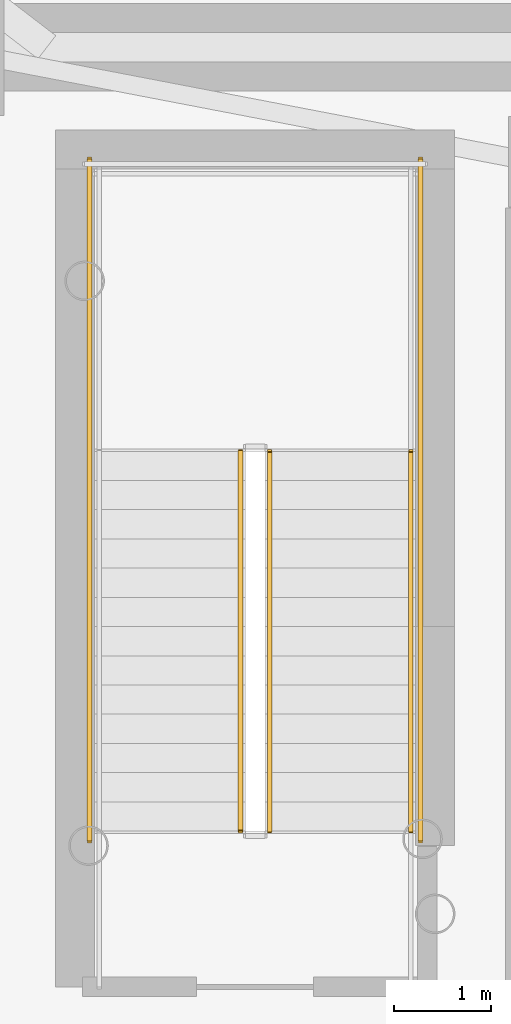
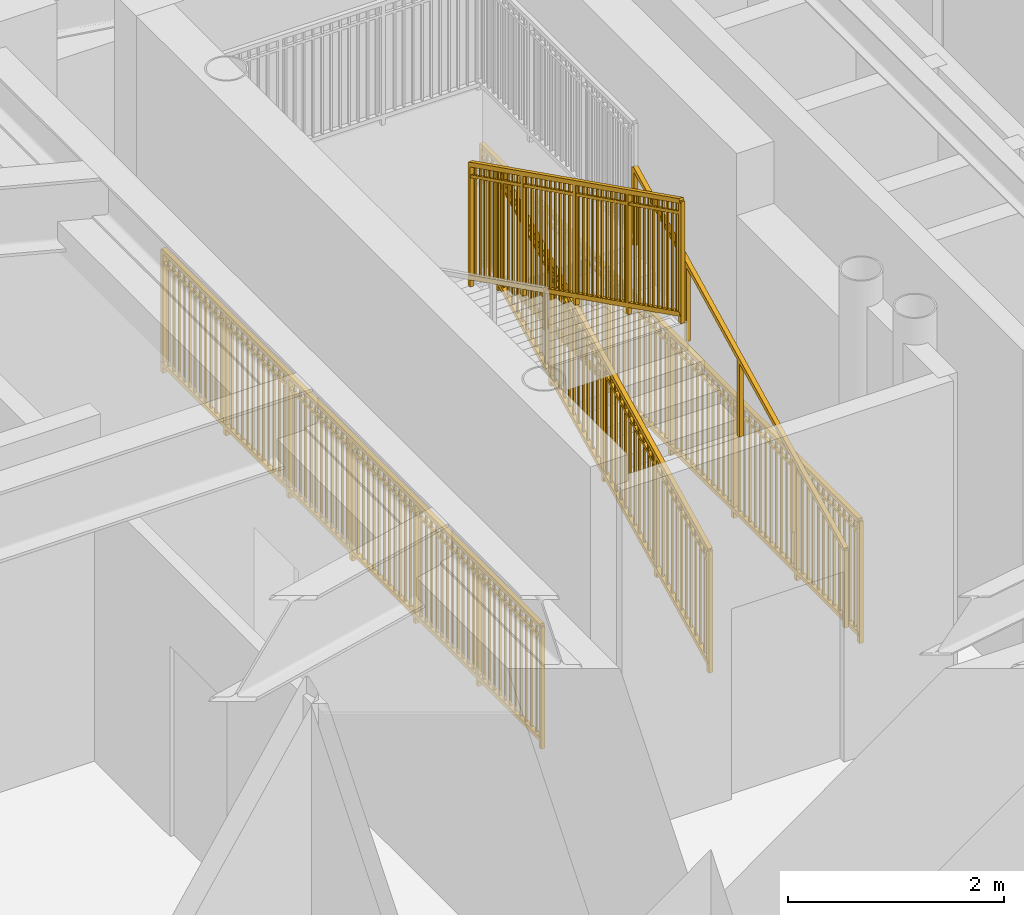
# One storey, part 21 of 27: 5 railings.
"""IFC4 building model written with IfcOpenShell, lengths in metres."""

from ifc_helpers import new_model, si_unit, direction, frame, origin, origin_2d, place, context, subcontext, project, spatial, rectangle, extrude, source, transform, mapped, material, type_object, element, save


model = new_model("IFC4")

# Units and contexts
model_context = context("Model", 3, precision=1e-05, world=origin(), true_north=direction((0.0, 1.0)))
body_context = subcontext(model_context, "Body", "Model", "MODEL_VIEW")
ifc_project = project(units=[si_unit("LENGTHUNIT", "METRE"), si_unit("AREAUNIT", "SQUARE_METRE"), si_unit("VOLUMEUNIT", "CUBIC_METRE"), si_unit("PLANEANGLEUNIT", "RADIAN"), si_unit("MASSUNIT", "GRAM", prefix="KILO")], contexts=[model_context])

# Site, building, storey
site_placement = place(None, origin())
site = spatial("IfcSite", under=ifc_project, at=site_placement, CompositionType="ELEMENT")
building_placement = place(site_placement, origin())
building = spatial("IfcBuilding", under=site, at=building_placement, Name="Linh Dai School and Residence Tower", CompositionType="ELEMENT")
storey_placement = place(building_placement, frame((0.0, 0.0, 18.60009765625)))
storey = spatial("IfcBuildingStorey", under=building, at=storey_placement, Name="L04", CompositionType="ELEMENT", Elevation=18.60009765625)

# Railings
ifc_material_1 = material(Name="Structural Steel S355JR", Category="steel")
railing_type_1 = type_object("IfcRailingType", Name="RL-ST-GUARD-1400", PredefinedType="GUARDRAIL", material=ifc_material_1)
shared_shape_1 = source(origin(), body_context, "Body", "SweptSolid", [
    extrude(rectangle(XDim=0.048095703125, YDim=0.048095703125, at=origin_2d()), frame((0.0, 0.0, 1.3759765625), z_axis=(0.0, 1.0, 0.0), x_axis=(-1.0, 0.0, 0.0)), (0.0, 0.0, 1.0), 7.0),
    extrude(rectangle(XDim=0.048095703125, YDim=0.048095703125, at=origin_2d()), frame((0.0, 0.0, 0.10009765625), z_axis=(0.0, 1.0, 0.0), x_axis=(-1.0, 0.0, 0.0)), (0.0, 0.0, 1.0), 7.0),
    extrude(rectangle(XDim=0.030029296875, YDim=0.030029296875, at=origin_2d()), frame((0.0, 0.0, 1.239990234375), z_axis=(0.0, 1.0, 0.0), x_axis=(-1.0, 0.0, 0.0)), (0.0, 0.0, 1.0), 7.0),
    extrude(rectangle(XDim=0.02001953125, YDim=0.02001953125, at=origin_2d()), frame((0.0, 0.09716796875, 0.10009765625)), (0.0, 0.0, 1.0), 1.251708984375),
    extrude(rectangle(XDim=0.02001953125, YDim=0.02001953125, at=origin_2d()), frame((0.0, 0.1943359375, 0.10009765625)), (0.0, 0.0, 1.0), 1.251708984375),
    extrude(rectangle(XDim=0.02001953125, YDim=0.02001953125, at=origin_2d()), frame((0.0, 0.291748046875, 0.10009765625)), (0.0, 0.0, 1.0), 1.251708984375),
    extrude(rectangle(XDim=0.02001953125, YDim=0.02001953125, at=origin_2d()), frame((0.0, 0.388916015625, 0.10009765625)), (0.0, 0.0, 1.0), 1.251708984375),
    extrude(rectangle(XDim=0.02001953125, YDim=0.02001953125, at=origin_2d()), frame((0.0, 0.486083984375, 0.10009765625)), (0.0, 0.0, 1.0), 1.251708984375),
    extrude(rectangle(XDim=0.02001953125, YDim=0.02001953125, at=origin_2d()), frame((0.0, 0.583251953125, 0.10009765625)), (0.0, 0.0, 1.0), 1.251708984375),
    extrude(rectangle(XDim=0.02001953125, YDim=0.02001953125, at=origin_2d()), frame((0.0, 0.6806640625, 0.10009765625)), (0.0, 0.0, 1.0), 1.251708984375),
    extrude(rectangle(XDim=0.02001953125, YDim=0.02001953125, at=origin_2d()), frame((0.0, 0.77783203125, 0.10009765625)), (0.0, 0.0, 1.0), 1.251708984375),
    extrude(rectangle(XDim=0.02001953125, YDim=0.02001953125, at=origin_2d()), frame((0.0, 0.875, 0.10009765625)), (0.0, 0.0, 1.0), 1.251708984375),
    extrude(rectangle(XDim=0.02001953125, YDim=0.02001953125, at=origin_2d()), frame((0.0, 0.97216796875, 0.10009765625)), (0.0, 0.0, 1.0), 1.251708984375),
    extrude(rectangle(XDim=0.02001953125, YDim=0.02001953125, at=origin_2d()), frame((0.0, 1.0693359375, 0.10009765625)), (0.0, 0.0, 1.0), 1.251708984375),
    extrude(rectangle(XDim=0.02001953125, YDim=0.02001953125, at=origin_2d()), frame((0.0, 1.263916015625, 0.10009765625)), (0.0, 0.0, 1.0), 1.251708984375),
    extrude(rectangle(XDim=0.02001953125, YDim=0.02001953125, at=origin_2d()), frame((0.0, 1.361083984375, 0.10009765625)), (0.0, 0.0, 1.0), 1.251708984375),
    extrude(rectangle(XDim=0.02001953125, YDim=0.02001953125, at=origin_2d()), frame((0.0, 1.458251953125, 0.10009765625)), (0.0, 0.0, 1.0), 1.251708984375),
    extrude(rectangle(XDim=0.02001953125, YDim=0.02001953125, at=origin_2d()), frame((0.0, 1.5556640625, 0.10009765625)), (0.0, 0.0, 1.0), 1.251708984375),
    extrude(rectangle(XDim=0.02001953125, YDim=0.02001953125, at=origin_2d()), frame((0.0, 1.65283203125, 0.10009765625)), (0.0, 0.0, 1.0), 1.251708984375),
    extrude(rectangle(XDim=0.02001953125, YDim=0.02001953125, at=origin_2d()), frame((0.0, 1.75, 0.10009765625)), (0.0, 0.0, 1.0), 1.251708984375),
    extrude(rectangle(XDim=0.02001953125, YDim=0.02001953125, at=origin_2d()), frame((0.0, 1.84716796875, 0.10009765625)), (0.0, 0.0, 1.0), 1.251708984375),
    extrude(rectangle(XDim=0.02001953125, YDim=0.02001953125, at=origin_2d()), frame((0.0, 1.9443359375, 0.10009765625)), (0.0, 0.0, 1.0), 1.251708984375),
    extrude(rectangle(XDim=0.02001953125, YDim=0.02001953125, at=origin_2d()), frame((0.0, 2.041748046875, 0.10009765625)), (0.0, 0.0, 1.0), 1.251708984375),
    extrude(rectangle(XDim=0.02001953125, YDim=0.02001953125, at=origin_2d()), frame((0.0, 2.138916015625, 0.10009765625)), (0.0, 0.0, 1.0), 1.251708984375),
    extrude(rectangle(XDim=0.02001953125, YDim=0.02001953125, at=origin_2d()), frame((0.0, 2.236083984375, 0.10009765625)), (0.0, 0.0, 1.0), 1.251708984375),
    extrude(rectangle(XDim=0.02001953125, YDim=0.02001953125, at=origin_2d()), frame((0.0, 2.4306640625, 0.10009765625)), (0.0, 0.0, 1.0), 1.251708984375),
    extrude(rectangle(XDim=0.02001953125, YDim=0.02001953125, at=origin_2d()), frame((0.0, 2.52783203125, 0.10009765625)), (0.0, 0.0, 1.0), 1.251708984375),
    extrude(rectangle(XDim=0.02001953125, YDim=0.02001953125, at=origin_2d()), frame((0.0, 2.625, 0.10009765625)), (0.0, 0.0, 1.0), 1.251708984375),
    extrude(rectangle(XDim=0.02001953125, YDim=0.02001953125, at=origin_2d()), frame((0.0, 2.72216796875, 0.10009765625)), (0.0, 0.0, 1.0), 1.251708984375),
    extrude(rectangle(XDim=0.02001953125, YDim=0.02001953125, at=origin_2d()), frame((0.0, 2.8193359375, 0.10009765625)), (0.0, 0.0, 1.0), 1.251708984375),
    extrude(rectangle(XDim=0.02001953125, YDim=0.02001953125, at=origin_2d()), frame((0.0, 2.916748046875, 0.10009765625)), (0.0, 0.0, 1.0), 1.251708984375),
    extrude(rectangle(XDim=0.02001953125, YDim=0.02001953125, at=origin_2d()), frame((0.0, 3.013916015625, 0.10009765625)), (0.0, 0.0, 1.0), 1.251708984375),
    extrude(rectangle(XDim=0.02001953125, YDim=0.02001953125, at=origin_2d()), frame((0.0, 3.111083984375, 0.10009765625)), (0.0, 0.0, 1.0), 1.251708984375),
    extrude(rectangle(XDim=0.02001953125, YDim=0.02001953125, at=origin_2d()), frame((0.0, 3.208251953125, 0.10009765625)), (0.0, 0.0, 1.0), 1.251708984375),
    extrude(rectangle(XDim=0.02001953125, YDim=0.02001953125, at=origin_2d()), frame((0.0, 3.3056640625, 0.10009765625)), (0.0, 0.0, 1.0), 1.251708984375),
    extrude(rectangle(XDim=0.02001953125, YDim=0.02001953125, at=origin_2d()), frame((0.0, 3.40283203125, 0.10009765625)), (0.0, 0.0, 1.0), 1.251708984375),
    extrude(rectangle(XDim=0.02001953125, YDim=0.02001953125, at=origin_2d()), frame((0.0, 3.59716796875, 0.10009765625)), (0.0, 0.0, 1.0), 1.251708984375),
    extrude(rectangle(XDim=0.02001953125, YDim=0.02001953125, at=origin_2d()), frame((0.0, 3.6943359375, 0.10009765625)), (0.0, 0.0, 1.0), 1.251708984375),
    extrude(rectangle(XDim=0.02001953125, YDim=0.02001953125, at=origin_2d()), frame((0.0, 3.791748046875, 0.10009765625)), (0.0, 0.0, 1.0), 1.251708984375),
    extrude(rectangle(XDim=0.02001953125, YDim=0.02001953125, at=origin_2d()), frame((0.0, 3.888916015625, 0.10009765625)), (0.0, 0.0, 1.0), 1.251708984375),
    extrude(rectangle(XDim=0.02001953125, YDim=0.02001953125, at=origin_2d()), frame((0.0, 3.986083984375, 0.10009765625)), (0.0, 0.0, 1.0), 1.251708984375),
    extrude(rectangle(XDim=0.02001953125, YDim=0.02001953125, at=origin_2d()), frame((0.0, 4.083251953125, 0.10009765625)), (0.0, 0.0, 1.0), 1.251708984375),
    extrude(rectangle(XDim=0.02001953125, YDim=0.02001953125, at=origin_2d()), frame((0.0, 4.1806640625, 0.10009765625)), (0.0, 0.0, 1.0), 1.251708984375),
    extrude(rectangle(XDim=0.02001953125, YDim=0.02001953125, at=origin_2d()), frame((0.0, 4.27783203125, 0.10009765625)), (0.0, 0.0, 1.0), 1.251708984375),
    extrude(rectangle(XDim=0.02001953125, YDim=0.02001953125, at=origin_2d()), frame((0.0, 4.375, 0.10009765625)), (0.0, 0.0, 1.0), 1.251708984375),
    extrude(rectangle(XDim=0.02001953125, YDim=0.02001953125, at=origin_2d()), frame((0.0, 4.47216796875, 0.10009765625)), (0.0, 0.0, 1.0), 1.251708984375),
    extrude(rectangle(XDim=0.02001953125, YDim=0.02001953125, at=origin_2d()), frame((0.0, 4.5693359375, 0.10009765625)), (0.0, 0.0, 1.0), 1.251708984375),
    extrude(rectangle(XDim=0.02001953125, YDim=0.02001953125, at=origin_2d()), frame((0.0, 4.763916015625, 0.10009765625)), (0.0, 0.0, 1.0), 1.251708984375),
    extrude(rectangle(XDim=0.02001953125, YDim=0.02001953125, at=origin_2d()), frame((0.0, 4.861083984375, 0.10009765625)), (0.0, 0.0, 1.0), 1.251708984375),
    extrude(rectangle(XDim=0.02001953125, YDim=0.02001953125, at=origin_2d()), frame((0.0, 4.958251953125, 0.10009765625)), (0.0, 0.0, 1.0), 1.251708984375),
    extrude(rectangle(XDim=0.02001953125, YDim=0.02001953125, at=origin_2d()), frame((0.0, 5.0556640625, 0.10009765625)), (0.0, 0.0, 1.0), 1.251708984375),
    extrude(rectangle(XDim=0.02001953125, YDim=0.02001953125, at=origin_2d()), frame((0.0, 5.15283203125, 0.10009765625)), (0.0, 0.0, 1.0), 1.251708984375),
    extrude(rectangle(XDim=0.02001953125, YDim=0.02001953125, at=origin_2d()), frame((0.0, 5.25, 0.10009765625)), (0.0, 0.0, 1.0), 1.251708984375),
    extrude(rectangle(XDim=0.02001953125, YDim=0.02001953125, at=origin_2d()), frame((0.0, 5.34716796875, 0.10009765625)), (0.0, 0.0, 1.0), 1.251708984375),
    extrude(rectangle(XDim=0.02001953125, YDim=0.02001953125, at=origin_2d()), frame((0.0, 5.4443359375, 0.10009765625)), (0.0, 0.0, 1.0), 1.251708984375),
    extrude(rectangle(XDim=0.02001953125, YDim=0.02001953125, at=origin_2d()), frame((0.0, 5.541748046875, 0.10009765625)), (0.0, 0.0, 1.0), 1.251708984375),
    extrude(rectangle(XDim=0.02001953125, YDim=0.02001953125, at=origin_2d()), frame((0.0, 5.638916015625, 0.10009765625)), (0.0, 0.0, 1.0), 1.251708984375),
    extrude(rectangle(XDim=0.02001953125, YDim=0.02001953125, at=origin_2d()), frame((0.0, 5.736083984375, 0.10009765625)), (0.0, 0.0, 1.0), 1.251708984375),
    extrude(rectangle(XDim=0.02001953125, YDim=0.02001953125, at=origin_2d()), frame((0.0, 5.9306640625, 0.10009765625)), (0.0, 0.0, 1.0), 1.251708984375),
    extrude(rectangle(XDim=0.02001953125, YDim=0.02001953125, at=origin_2d()), frame((0.0, 6.02783203125, 0.10009765625)), (0.0, 0.0, 1.0), 1.251708984375),
    extrude(rectangle(XDim=0.02001953125, YDim=0.02001953125, at=origin_2d()), frame((0.0, 6.125, 0.10009765625)), (0.0, 0.0, 1.0), 1.251708984375),
    extrude(rectangle(XDim=0.02001953125, YDim=0.02001953125, at=origin_2d()), frame((0.0, 6.22216796875, 0.10009765625)), (0.0, 0.0, 1.0), 1.251708984375),
    extrude(rectangle(XDim=0.02001953125, YDim=0.02001953125, at=origin_2d()), frame((0.0, 6.3193359375, 0.10009765625)), (0.0, 0.0, 1.0), 1.251708984375),
    extrude(rectangle(XDim=0.02001953125, YDim=0.02001953125, at=origin_2d()), frame((0.0, 6.416748046875, 0.10009765625)), (0.0, 0.0, 1.0), 1.251708984375),
    extrude(rectangle(XDim=0.02001953125, YDim=0.02001953125, at=origin_2d()), frame((0.0, 6.513916015625, 0.10009765625)), (0.0, 0.0, 1.0), 1.251708984375),
    extrude(rectangle(XDim=0.02001953125, YDim=0.02001953125, at=origin_2d()), frame((0.0, 6.611083984375, 0.10009765625)), (0.0, 0.0, 1.0), 1.251708984375),
    extrude(rectangle(XDim=0.02001953125, YDim=0.02001953125, at=origin_2d()), frame((0.0, 6.708251953125, 0.10009765625)), (0.0, 0.0, 1.0), 1.251708984375),
    extrude(rectangle(XDim=0.02001953125, YDim=0.02001953125, at=origin_2d()), frame((0.0, 6.8056640625, 0.10009765625)), (0.0, 0.0, 1.0), 1.251708984375),
    extrude(rectangle(XDim=0.02001953125, YDim=0.02001953125, at=origin_2d()), frame((0.0, 6.90283203125, 0.10009765625)), (0.0, 0.0, 1.0), 1.251708984375),
    extrude(rectangle(XDim=0.0419921875, YDim=0.0419921875, at=origin_2d()), origin(), (0.0, 0.0, 1.0), 1.3759765625),
    extrude(rectangle(XDim=0.0419921875, YDim=0.0419921875, at=origin_2d()), frame((0.0, 1.166748046875, 0.0)), (0.0, 0.0, 1.0), 1.3759765625),
    extrude(rectangle(XDim=0.0419921875, YDim=0.0419921875, at=origin_2d()), frame((0.0, 2.333251953125, 0.0)), (0.0, 0.0, 1.0), 1.3759765625),
    extrude(rectangle(XDim=0.0419921875, YDim=0.0419921875, at=origin_2d()), frame((0.0, 3.5, 0.0)), (0.0, 0.0, 1.0), 1.3759765625),
    extrude(rectangle(XDim=0.0419921875, YDim=0.0419921875, at=origin_2d()), frame((0.0, 4.666748046875, 0.0)), (0.0, 0.0, 1.0), 1.3759765625),
    extrude(rectangle(XDim=0.0419921875, YDim=0.0419921875, at=origin_2d()), frame((0.0, 5.833251953125, 0.0)), (0.0, 0.0, 1.0), 1.3759765625),
    extrude(rectangle(XDim=0.0419921875, YDim=0.0419921875, at=origin_2d()), frame((0.0, 7.0, 0.0)), (0.0, 0.0, 1.0), 1.3759765625),
])
for number, where, name in (
    (1, (31.030029296875, 25.60009765625, 0.0), "L04 ST1 stair guard 10"),
    (2, (27.6298828125, 25.60009765625, 0.0), "L04 ST1 stair guard 11"),
):
    element("IfcRailing", number, at=place(storey_placement, frame(where)), inside=storey, type_object=railing_type_1, Name=name, PredefinedType="GUARDRAIL", context=body_context, shape_type="MappedRepresentation", body=[
        mapped(shared_shape_1, transform((0.0, 0.0, 0.0), x_axis=(1.0, 0.0, 0.0), y_axis=(0.0, 1.0, 0.0), z_axis=(0.0, 0.0, 1.0), scale=1.0)),
    ])
shared_shape_2 = source(origin(), body_context, "Body", "SweptSolid", [
    extrude(rectangle(XDim=0.048095703125, YDim=0.048095703125, at=origin_2d()), frame((0.0, 0.0, 1.3759765625), z_axis=(0.0, -0.894438388696, 0.447191199406), x_axis=(1.0, 0.0, 0.0)), (0.0, 0.0, 1.0), 4.3603515625),
    extrude(rectangle(XDim=0.048095703125, YDim=0.048095703125, at=origin_2d()), frame((0.0, 0.0, 0.10009765625), z_axis=(0.0, -0.894438388696, 0.447191199406), x_axis=(1.0, 0.0, 0.0)), (0.0, 0.0, 1.0), 4.3603515625),
    extrude(rectangle(XDim=0.030029296875, YDim=0.030029296875, at=origin_2d()), frame((0.0, 0.0, 1.239990234375), z_axis=(0.0, -0.894438388696, 0.447191199406), x_axis=(1.0, 0.0, 0.0)), (0.0, 0.0, 1.0), 4.3603515625),
    extrude(rectangle(XDim=0.02001953125, YDim=0.02001953125, at=origin_2d()), frame((0.0, -0.086669921875, 0.143310546875)), (0.0, 0.0, 1.0), 1.251708984375),
    extrude(rectangle(XDim=0.02001953125, YDim=0.02001953125, at=origin_2d()), frame((0.0, -0.17333984375, 0.186767578125)), (0.0, 0.0, 1.0), 1.251708984375),
    extrude(rectangle(XDim=0.02001953125, YDim=0.02001953125, at=origin_2d()), frame((0.0, -0.260009765625, 0.22998046875)), (0.0, 0.0, 1.0), 1.251708984375),
    extrude(rectangle(XDim=0.02001953125, YDim=0.02001953125, at=origin_2d()), frame((0.0, -0.3466796875, 0.2734375)), (0.0, 0.0, 1.0), 1.251708984375),
    extrude(rectangle(XDim=0.02001953125, YDim=0.02001953125, at=origin_2d()), frame((0.0, -0.433349609375, 0.316650390625)), (0.0, 0.0, 1.0), 1.251708984375),
    extrude(rectangle(XDim=0.02001953125, YDim=0.02001953125, at=origin_2d()), frame((0.0, -0.52001953125, 0.360107421875)), (0.0, 0.0, 1.0), 1.251708984375),
    extrude(rectangle(XDim=0.02001953125, YDim=0.02001953125, at=origin_2d()), frame((0.0, -0.606689453125, 0.4033203125)), (0.0, 0.0, 1.0), 1.251708984375),
    extrude(rectangle(XDim=0.02001953125, YDim=0.02001953125, at=origin_2d()), frame((0.0, -0.693359375, 0.44677734375)), (0.0, 0.0, 1.0), 1.251708984375),
    extrude(rectangle(XDim=0.02001953125, YDim=0.02001953125, at=origin_2d()), frame((0.0, -0.780029296875, 0.489990234375)), (0.0, 0.0, 1.0), 1.251708984375),
    extrude(rectangle(XDim=0.02001953125, YDim=0.02001953125, at=origin_2d()), frame((0.0, -0.86669921875, 0.533447265625)), (0.0, 0.0, 1.0), 1.251708984375),
    extrude(rectangle(XDim=0.02001953125, YDim=0.02001953125, at=origin_2d()), frame((0.0, -1.0400390625, 0.6201171875)), (0.0, 0.0, 1.0), 1.251708984375),
    extrude(rectangle(XDim=0.02001953125, YDim=0.02001953125, at=origin_2d()), frame((0.0, -1.126708984375, 0.663330078125)), (0.0, 0.0, 1.0), 1.251708984375),
    extrude(rectangle(XDim=0.02001953125, YDim=0.02001953125, at=origin_2d()), frame((0.0, -1.21337890625, 0.706787109375)), (0.0, 0.0, 1.0), 1.251708984375),
    extrude(rectangle(XDim=0.02001953125, YDim=0.02001953125, at=origin_2d()), frame((0.0, -1.300048828125, 0.75)), (0.0, 0.0, 1.0), 1.251708984375),
    extrude(rectangle(XDim=0.02001953125, YDim=0.02001953125, at=origin_2d()), frame((0.0, -1.38671875, 0.79345703125)), (0.0, 0.0, 1.0), 1.251708984375),
    extrude(rectangle(XDim=0.02001953125, YDim=0.02001953125, at=origin_2d()), frame((0.0, -1.473388671875, 0.836669921875)), (0.0, 0.0, 1.0), 1.251708984375),
    extrude(rectangle(XDim=0.02001953125, YDim=0.02001953125, at=origin_2d()), frame((0.0, -1.56005859375, 0.880126953125)), (0.0, 0.0, 1.0), 1.251708984375),
    extrude(rectangle(XDim=0.02001953125, YDim=0.02001953125, at=origin_2d()), frame((0.0, -1.646728515625, 0.92333984375)), (0.0, 0.0, 1.0), 1.251708984375),
    extrude(rectangle(XDim=0.02001953125, YDim=0.02001953125, at=origin_2d()), frame((0.0, -1.7333984375, 0.966796875)), (0.0, 0.0, 1.0), 1.251708984375),
    extrude(rectangle(XDim=0.02001953125, YDim=0.02001953125, at=origin_2d()), frame((0.0, -1.820068359375, 1.010009765625)), (0.0, 0.0, 1.0), 1.251708984375),
    extrude(rectangle(XDim=0.02001953125, YDim=0.02001953125, at=origin_2d()), frame((0.0, -1.90673828125, 1.053466796875)), (0.0, 0.0, 1.0), 1.251708984375),
    extrude(rectangle(XDim=0.02001953125, YDim=0.02001953125, at=origin_2d()), frame((0.0, -1.993408203125, 1.0966796875)), (0.0, 0.0, 1.0), 1.251708984375),
    extrude(rectangle(XDim=0.02001953125, YDim=0.02001953125, at=origin_2d()), frame((0.0, -2.080078125, 1.14013671875)), (0.0, 0.0, 1.0), 1.251708984375),
    extrude(rectangle(XDim=0.02001953125, YDim=0.02001953125, at=origin_2d()), frame((0.0, -2.166748046875, 1.183349609375)), (0.0, 0.0, 1.0), 1.251708984375),
    extrude(rectangle(XDim=0.02001953125, YDim=0.02001953125, at=origin_2d()), frame((0.0, -2.25341796875, 1.226806640625)), (0.0, 0.0, 1.0), 1.251708984375),
    extrude(rectangle(XDim=0.02001953125, YDim=0.02001953125, at=origin_2d()), frame((0.0, -2.340087890625, 1.27001953125)), (0.0, 0.0, 1.0), 1.251708984375),
    extrude(rectangle(XDim=0.02001953125, YDim=0.02001953125, at=origin_2d()), frame((0.0, -2.4267578125, 1.3134765625)), (0.0, 0.0, 1.0), 1.251708984375),
    extrude(rectangle(XDim=0.02001953125, YDim=0.02001953125, at=origin_2d()), frame((0.0, -2.513427734375, 1.356689453125)), (0.0, 0.0, 1.0), 1.251708984375),
    extrude(rectangle(XDim=0.02001953125, YDim=0.02001953125, at=origin_2d()), frame((0.0, -2.60009765625, 1.400146484375)), (0.0, 0.0, 1.0), 1.251708984375),
    extrude(rectangle(XDim=0.02001953125, YDim=0.02001953125, at=origin_2d()), frame((0.0, -2.686767578125, 1.443359375)), (0.0, 0.0, 1.0), 1.251708984375),
    extrude(rectangle(XDim=0.02001953125, YDim=0.02001953125, at=origin_2d()), frame((0.0, -2.7734375, 1.48681640625)), (0.0, 0.0, 1.0), 1.251708984375),
    extrude(rectangle(XDim=0.02001953125, YDim=0.02001953125, at=origin_2d()), frame((0.0, -2.860107421875, 1.530029296875)), (0.0, 0.0, 1.0), 1.251708984375),
    extrude(rectangle(XDim=0.02001953125, YDim=0.02001953125, at=origin_2d()), frame((0.0, -3.033447265625, 1.61669921875)), (0.0, 0.0, 1.0), 1.251708984375),
    extrude(rectangle(XDim=0.02001953125, YDim=0.02001953125, at=origin_2d()), frame((0.0, -3.1201171875, 1.66015625)), (0.0, 0.0, 1.0), 1.251708984375),
    extrude(rectangle(XDim=0.02001953125, YDim=0.02001953125, at=origin_2d()), frame((0.0, -3.206787109375, 1.703369140625)), (0.0, 0.0, 1.0), 1.251708984375),
    extrude(rectangle(XDim=0.02001953125, YDim=0.02001953125, at=origin_2d()), frame((0.0, -3.29345703125, 1.746826171875)), (0.0, 0.0, 1.0), 1.251708984375),
    extrude(rectangle(XDim=0.02001953125, YDim=0.02001953125, at=origin_2d()), frame((0.0, -3.380126953125, 1.7900390625)), (0.0, 0.0, 1.0), 1.251708984375),
    extrude(rectangle(XDim=0.02001953125, YDim=0.02001953125, at=origin_2d()), frame((0.0, -3.466796875, 1.83349609375)), (0.0, 0.0, 1.0), 1.251708984375),
    extrude(rectangle(XDim=0.02001953125, YDim=0.02001953125, at=origin_2d()), frame((0.0, -3.553466796875, 1.876708984375)), (0.0, 0.0, 1.0), 1.251708984375),
    extrude(rectangle(XDim=0.02001953125, YDim=0.02001953125, at=origin_2d()), frame((0.0, -3.64013671875, 1.920166015625)), (0.0, 0.0, 1.0), 1.251708984375),
    extrude(rectangle(XDim=0.02001953125, YDim=0.02001953125, at=origin_2d()), frame((0.0, -3.726806640625, 1.96337890625)), (0.0, 0.0, 1.0), 1.251708984375),
    extrude(rectangle(XDim=0.02001953125, YDim=0.02001953125, at=origin_2d()), frame((0.0, -3.8134765625, 2.0068359375)), (0.0, 0.0, 1.0), 1.251708984375),
    extrude(rectangle(XDim=0.0419921875, YDim=0.0419921875, at=origin_2d()), origin(), (0.0, 0.0, 1.0), 1.3759765625),
    extrude(rectangle(XDim=0.0419921875, YDim=0.0419921875, at=origin_2d()), frame((0.0, -0.97509765625, 0.487548828125)), (0.0, 0.0, 1.0), 1.3759765625),
    extrude(rectangle(XDim=0.0419921875, YDim=0.0419921875, at=origin_2d()), frame((0.0, -1.9501953125, 0.97509765625)), (0.0, 0.0, 1.0), 1.3759765625),
    extrude(rectangle(XDim=0.0419921875, YDim=0.0419921875, at=origin_2d()), frame((0.0, -2.925048828125, 1.46240234375)), (0.0, 0.0, 1.0), 1.3759765625),
    extrude(rectangle(XDim=0.0419921875, YDim=0.0419921875, at=origin_2d()), frame((0.0, -3.900146484375, 1.949951171875)), (0.0, 0.0, 1.0), 1.3759765625),
])
railing_1_placement = place(storey_placement, frame((29.179931640625, 29.60009765625, 2.25)))
element("IfcRailing", 3, at=railing_1_placement, inside=storey, type_object=railing_type_1, Name="L04 ST1 stair guard 6", PredefinedType="GUARDRAIL", context=body_context, shape_type="MappedRepresentation", body=[
    mapped(shared_shape_2, transform((0.0, 0.0, 0.0), x_axis=(1.0, 0.0, 0.0), y_axis=(0.0, 1.0, 0.0), z_axis=(0.0, 0.0, 1.0), scale=1.0)),
])
shared_shape_3 = source(origin(), body_context, "Body", "SweptSolid", [
    extrude(rectangle(XDim=0.048095703125, YDim=0.048095703125, at=origin_2d()), frame((0.0, 0.0, 1.3759765625), z_axis=(0.0, 0.894438388696, 0.447191199406), x_axis=(-1.0, 0.0, 0.0)), (0.0, 0.0, 1.0), 4.3603515625),
    extrude(rectangle(XDim=0.048095703125, YDim=0.048095703125, at=origin_2d()), frame((0.0, 0.0, 0.10009765625), z_axis=(0.0, 0.894438388696, 0.447191199406), x_axis=(-1.0, 0.0, 0.0)), (0.0, 0.0, 1.0), 4.3603515625),
    extrude(rectangle(XDim=0.030029296875, YDim=0.030029296875, at=origin_2d()), frame((0.0, 0.0, 1.239990234375), z_axis=(0.0, 0.894438388696, 0.447191199406), x_axis=(-1.0, 0.0, 0.0)), (0.0, 0.0, 1.0), 4.3603515625),
    extrude(rectangle(XDim=0.02001953125, YDim=0.02001953125, at=origin_2d()), frame((0.0, 0.086669921875, 0.143310546875)), (0.0, 0.0, 1.0), 1.251708984375),
    extrude(rectangle(XDim=0.02001953125, YDim=0.02001953125, at=origin_2d()), frame((0.0, 0.17333984375, 0.186767578125)), (0.0, 0.0, 1.0), 1.251708984375),
    extrude(rectangle(XDim=0.02001953125, YDim=0.02001953125, at=origin_2d()), frame((0.0, 0.260009765625, 0.22998046875)), (0.0, 0.0, 1.0), 1.251708984375),
    extrude(rectangle(XDim=0.02001953125, YDim=0.02001953125, at=origin_2d()), frame((0.0, 0.3466796875, 0.2734375)), (0.0, 0.0, 1.0), 1.251708984375),
    extrude(rectangle(XDim=0.02001953125, YDim=0.02001953125, at=origin_2d()), frame((0.0, 0.433349609375, 0.316650390625)), (0.0, 0.0, 1.0), 1.251708984375),
    extrude(rectangle(XDim=0.02001953125, YDim=0.02001953125, at=origin_2d()), frame((0.0, 0.52001953125, 0.360107421875)), (0.0, 0.0, 1.0), 1.251708984375),
    extrude(rectangle(XDim=0.02001953125, YDim=0.02001953125, at=origin_2d()), frame((0.0, 0.606689453125, 0.4033203125)), (0.0, 0.0, 1.0), 1.251708984375),
    extrude(rectangle(XDim=0.02001953125, YDim=0.02001953125, at=origin_2d()), frame((0.0, 0.693359375, 0.44677734375)), (0.0, 0.0, 1.0), 1.251708984375),
    extrude(rectangle(XDim=0.02001953125, YDim=0.02001953125, at=origin_2d()), frame((0.0, 0.780029296875, 0.489990234375)), (0.0, 0.0, 1.0), 1.251708984375),
    extrude(rectangle(XDim=0.02001953125, YDim=0.02001953125, at=origin_2d()), frame((0.0, 0.86669921875, 0.533447265625)), (0.0, 0.0, 1.0), 1.251708984375),
    extrude(rectangle(XDim=0.02001953125, YDim=0.02001953125, at=origin_2d()), frame((0.0, 1.0400390625, 0.6201171875)), (0.0, 0.0, 1.0), 1.251708984375),
    extrude(rectangle(XDim=0.02001953125, YDim=0.02001953125, at=origin_2d()), frame((0.0, 1.126708984375, 0.663330078125)), (0.0, 0.0, 1.0), 1.251708984375),
    extrude(rectangle(XDim=0.02001953125, YDim=0.02001953125, at=origin_2d()), frame((0.0, 1.21337890625, 0.706787109375)), (0.0, 0.0, 1.0), 1.251708984375),
    extrude(rectangle(XDim=0.02001953125, YDim=0.02001953125, at=origin_2d()), frame((0.0, 1.300048828125, 0.75)), (0.0, 0.0, 1.0), 1.251708984375),
    extrude(rectangle(XDim=0.02001953125, YDim=0.02001953125, at=origin_2d()), frame((0.0, 1.38671875, 0.79345703125)), (0.0, 0.0, 1.0), 1.251708984375),
    extrude(rectangle(XDim=0.02001953125, YDim=0.02001953125, at=origin_2d()), frame((0.0, 1.473388671875, 0.836669921875)), (0.0, 0.0, 1.0), 1.251708984375),
    extrude(rectangle(XDim=0.02001953125, YDim=0.02001953125, at=origin_2d()), frame((0.0, 1.56005859375, 0.880126953125)), (0.0, 0.0, 1.0), 1.251708984375),
    extrude(rectangle(XDim=0.02001953125, YDim=0.02001953125, at=origin_2d()), frame((0.0, 1.646728515625, 0.92333984375)), (0.0, 0.0, 1.0), 1.251708984375),
    extrude(rectangle(XDim=0.02001953125, YDim=0.02001953125, at=origin_2d()), frame((0.0, 1.7333984375, 0.966796875)), (0.0, 0.0, 1.0), 1.251708984375),
    extrude(rectangle(XDim=0.02001953125, YDim=0.02001953125, at=origin_2d()), frame((0.0, 1.820068359375, 1.010009765625)), (0.0, 0.0, 1.0), 1.251708984375),
    extrude(rectangle(XDim=0.02001953125, YDim=0.02001953125, at=origin_2d()), frame((0.0, 1.90673828125, 1.053466796875)), (0.0, 0.0, 1.0), 1.251708984375),
    extrude(rectangle(XDim=0.02001953125, YDim=0.02001953125, at=origin_2d()), frame((0.0, 1.993408203125, 1.0966796875)), (0.0, 0.0, 1.0), 1.251708984375),
    extrude(rectangle(XDim=0.02001953125, YDim=0.02001953125, at=origin_2d()), frame((0.0, 2.080078125, 1.14013671875)), (0.0, 0.0, 1.0), 1.251708984375),
    extrude(rectangle(XDim=0.02001953125, YDim=0.02001953125, at=origin_2d()), frame((0.0, 2.166748046875, 1.183349609375)), (0.0, 0.0, 1.0), 1.251708984375),
    extrude(rectangle(XDim=0.02001953125, YDim=0.02001953125, at=origin_2d()), frame((0.0, 2.25341796875, 1.226806640625)), (0.0, 0.0, 1.0), 1.251708984375),
    extrude(rectangle(XDim=0.02001953125, YDim=0.02001953125, at=origin_2d()), frame((0.0, 2.340087890625, 1.27001953125)), (0.0, 0.0, 1.0), 1.251708984375),
    extrude(rectangle(XDim=0.02001953125, YDim=0.02001953125, at=origin_2d()), frame((0.0, 2.4267578125, 1.3134765625)), (0.0, 0.0, 1.0), 1.251708984375),
    extrude(rectangle(XDim=0.02001953125, YDim=0.02001953125, at=origin_2d()), frame((0.0, 2.513427734375, 1.356689453125)), (0.0, 0.0, 1.0), 1.251708984375),
    extrude(rectangle(XDim=0.02001953125, YDim=0.02001953125, at=origin_2d()), frame((0.0, 2.60009765625, 1.400146484375)), (0.0, 0.0, 1.0), 1.251708984375),
    extrude(rectangle(XDim=0.02001953125, YDim=0.02001953125, at=origin_2d()), frame((0.0, 2.686767578125, 1.443359375)), (0.0, 0.0, 1.0), 1.251708984375),
    extrude(rectangle(XDim=0.02001953125, YDim=0.02001953125, at=origin_2d()), frame((0.0, 2.7734375, 1.48681640625)), (0.0, 0.0, 1.0), 1.251708984375),
    extrude(rectangle(XDim=0.02001953125, YDim=0.02001953125, at=origin_2d()), frame((0.0, 2.860107421875, 1.530029296875)), (0.0, 0.0, 1.0), 1.251708984375),
    extrude(rectangle(XDim=0.02001953125, YDim=0.02001953125, at=origin_2d()), frame((0.0, 3.033447265625, 1.61669921875)), (0.0, 0.0, 1.0), 1.251708984375),
    extrude(rectangle(XDim=0.02001953125, YDim=0.02001953125, at=origin_2d()), frame((0.0, 3.1201171875, 1.66015625)), (0.0, 0.0, 1.0), 1.251708984375),
    extrude(rectangle(XDim=0.02001953125, YDim=0.02001953125, at=origin_2d()), frame((0.0, 3.206787109375, 1.703369140625)), (0.0, 0.0, 1.0), 1.251708984375),
    extrude(rectangle(XDim=0.02001953125, YDim=0.02001953125, at=origin_2d()), frame((0.0, 3.29345703125, 1.746826171875)), (0.0, 0.0, 1.0), 1.251708984375),
    extrude(rectangle(XDim=0.02001953125, YDim=0.02001953125, at=origin_2d()), frame((0.0, 3.380126953125, 1.7900390625)), (0.0, 0.0, 1.0), 1.251708984375),
    extrude(rectangle(XDim=0.02001953125, YDim=0.02001953125, at=origin_2d()), frame((0.0, 3.466796875, 1.83349609375)), (0.0, 0.0, 1.0), 1.251708984375),
    extrude(rectangle(XDim=0.02001953125, YDim=0.02001953125, at=origin_2d()), frame((0.0, 3.553466796875, 1.876708984375)), (0.0, 0.0, 1.0), 1.251708984375),
    extrude(rectangle(XDim=0.02001953125, YDim=0.02001953125, at=origin_2d()), frame((0.0, 3.64013671875, 1.920166015625)), (0.0, 0.0, 1.0), 1.251708984375),
    extrude(rectangle(XDim=0.02001953125, YDim=0.02001953125, at=origin_2d()), frame((0.0, 3.726806640625, 1.96337890625)), (0.0, 0.0, 1.0), 1.251708984375),
    extrude(rectangle(XDim=0.02001953125, YDim=0.02001953125, at=origin_2d()), frame((0.0, 3.8134765625, 2.0068359375)), (0.0, 0.0, 1.0), 1.251708984375),
    extrude(rectangle(XDim=0.0419921875, YDim=0.0419921875, at=origin_2d()), origin(), (0.0, 0.0, 1.0), 1.3759765625),
    extrude(rectangle(XDim=0.0419921875, YDim=0.0419921875, at=origin_2d()), frame((0.0, 0.97509765625, 0.487548828125)), (0.0, 0.0, 1.0), 1.3759765625),
    extrude(rectangle(XDim=0.0419921875, YDim=0.0419921875, at=origin_2d()), frame((0.0, 1.9501953125, 0.97509765625)), (0.0, 0.0, 1.0), 1.3759765625),
    extrude(rectangle(XDim=0.0419921875, YDim=0.0419921875, at=origin_2d()), frame((0.0, 2.925048828125, 1.46240234375)), (0.0, 0.0, 1.0), 1.3759765625),
    extrude(rectangle(XDim=0.0419921875, YDim=0.0419921875, at=origin_2d()), frame((0.0, 3.900146484375, 1.949951171875)), (0.0, 0.0, 1.0), 1.3759765625),
])
railing_2_placement = place(storey_placement, frame((29.47998046875, 25.699951171875, 0.14990234375)))
element("IfcRailing", 4, at=railing_2_placement, inside=storey, type_object=railing_type_1, Name="L04 ST1 stair guard 1", PredefinedType="GUARDRAIL", context=body_context, shape_type="MappedRepresentation", body=[
    mapped(shared_shape_3, transform((0.0, 0.0, 0.0), x_axis=(1.0, 0.0, 0.0), y_axis=(0.0, 1.0, 0.0), z_axis=(0.0, 0.0, 1.0), scale=1.0)),
])
ifc_material_2 = material(Name="Brushed Stainless Steel Handrail", Category="steel")
railing_type_2 = type_object("IfcRailingType", Name="RL-ST-HANDRAIL-900", PredefinedType="HANDRAIL", material=ifc_material_2)
shared_shape_4 = source(origin(), body_context, "Body", "SweptSolid", [
    extrude(rectangle(XDim=0.048095703125, YDim=0.048095703125, at=origin_2d()), frame((0.0, 0.0, 0.8759765625), z_axis=(0.0, 0.894438388696, 0.447191199406), x_axis=(-1.0, 0.0, 0.0)), (0.0, 0.0, 1.0), 4.3603515625),
    extrude(rectangle(XDim=0.0419921875, YDim=0.0419921875, at=origin_2d()), origin(), (0.0, 0.0, 1.0), 0.8759765625),
    extrude(rectangle(XDim=0.0419921875, YDim=0.0419921875, at=origin_2d()), frame((0.0, 0.97509765625, 0.487548828125)), (0.0, 0.0, 1.0), 0.8759765625),
    extrude(rectangle(XDim=0.0419921875, YDim=0.0419921875, at=origin_2d()), frame((0.0, 1.9501953125, 0.97509765625)), (0.0, 0.0, 1.0), 0.8759765625),
    extrude(rectangle(XDim=0.0419921875, YDim=0.0419921875, at=origin_2d()), frame((0.0, 2.925048828125, 1.46240234375)), (0.0, 0.0, 1.0), 0.8759765625),
    extrude(rectangle(XDim=0.0419921875, YDim=0.0419921875, at=origin_2d()), frame((0.0, 3.900146484375, 1.949951171875)), (0.0, 0.0, 1.0), 0.8759765625),
])
railing_3_placement = place(storey_placement, frame((30.929931640625, 25.699951171875, 0.14990234375)))
element("IfcRailing", 5, at=railing_3_placement, inside=storey, type_object=railing_type_2, Name="L04 ST1 stair handrail 1", PredefinedType="HANDRAIL", context=body_context, shape_type="MappedRepresentation", body=[
    mapped(shared_shape_4, transform((0.0, 0.0, 0.0), x_axis=(1.0, 0.0, 0.0), y_axis=(0.0, 1.0, 0.0), z_axis=(0.0, 0.0, 1.0), scale=1.0)),
])

save(model, "model.ifc")
